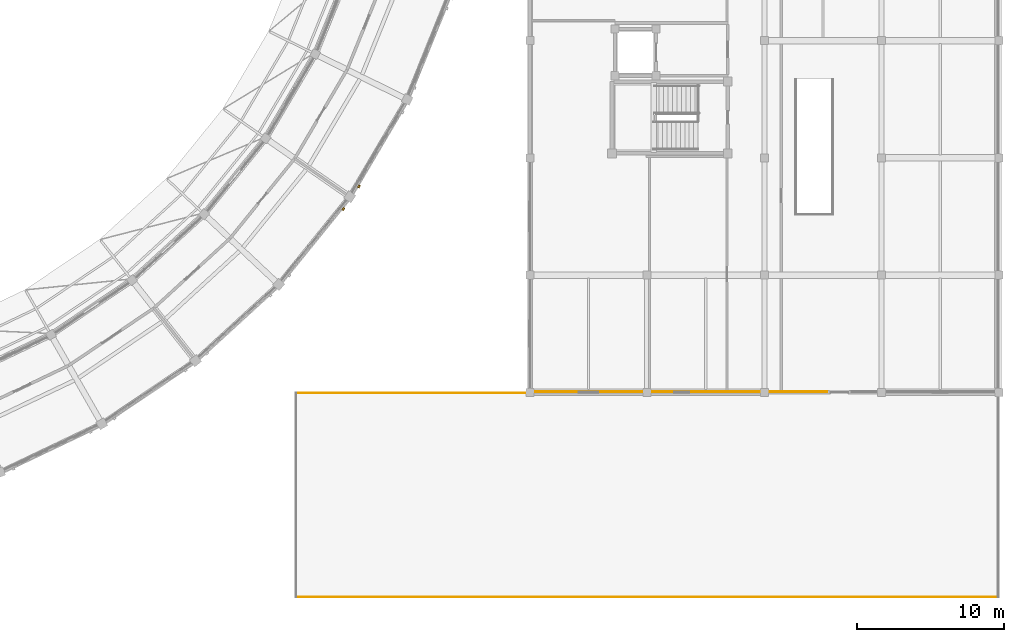
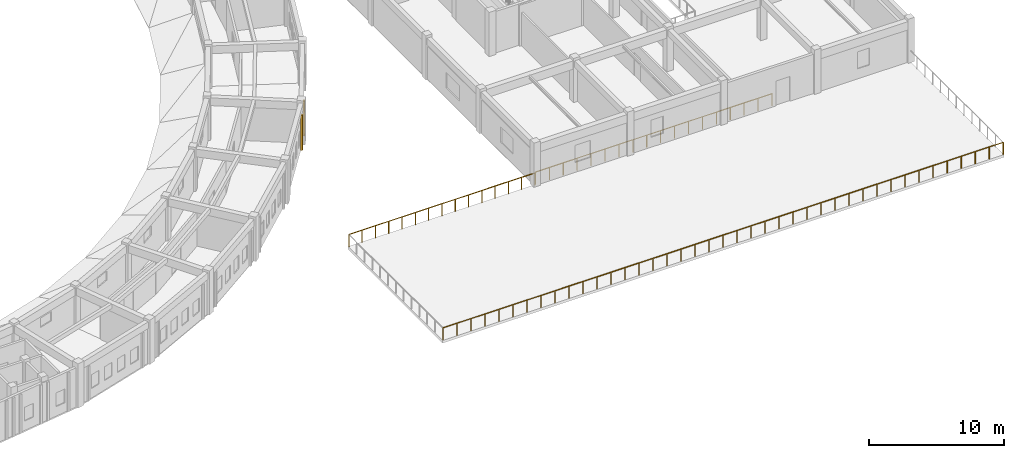
# One storey, part 107 of 112: 3 railings, 2 coverings.
"""IFC4 building model written with IfcOpenShell, lengths in metres."""

from ifc_helpers import new_model, si_unit, direction, frame, origin, origin_2d, place, context, subcontext, project, spatial, rectangle, circle, extrude, material, layer, layer_set, type_object, element, save


model = new_model("IFC4")

# Units and contexts
model_context = context("Model", 3, precision=1e-05, world=origin(), true_north=direction((0.0, 1.0)))
body_context = subcontext(model_context, "Body", "Model", "MODEL_VIEW")
ifc_project = project(units=[si_unit("LENGTHUNIT", "METRE"), si_unit("AREAUNIT", "SQUARE_METRE"), si_unit("VOLUMEUNIT", "CUBIC_METRE"), si_unit("PLANEANGLEUNIT", "RADIAN"), si_unit("MASSUNIT", "GRAM", prefix="KILO")], contexts=[model_context])

# Site, building, storey
site_placement = place(None, origin())
site = spatial("IfcSite", under=ifc_project, at=site_placement, CompositionType="ELEMENT")
building_placement = place(site_placement, origin())
building = spatial("IfcBuilding", under=site, at=building_placement, Name="Celadon Cloister-Ring School", CompositionType="ELEMENT")
storey_placement = place(building_placement, frame((0.0, 0.0, 8.5)))
storey = spatial("IfcBuildingStorey", under=building, at=storey_placement, Name="L02", CompositionType="ELEMENT", Elevation=8.5)

# Coverings
ifc_material_1 = material(Name="Perforated terracotta clay brick masonry", Category="masonry")
ifc_layer = layer(ifc_material_1, 0.139892578125)
ifc_layer_set = layer_set([ifc_layer], Name="Perforated terracotta clay brick masonry")
covering_type = type_object("IfcCoveringType", Name="CV-SC1", PredefinedType="CLADDING", material=ifc_layer_set)
for number, where, z_axis, x_axis, name in (
    (1, (129.26611328125, 28.510009765625, 0.0), (0.0, 0.0, 1.0), (-0.629605187645, -0.776915251292, 0.0), "Brick Screen Rib 0291"),
    (2, (130.3349609375, 30.050048828125, 0.0), (0.0, 0.0, 1.0), (-0.507944339768, -0.861389892962, 0.0), "Brick Screen Rib 0294"),
):
    element("IfcCovering", number, at=place(storey_placement, frame(where, z_axis=z_axis, x_axis=x_axis)), inside=storey, type_object=covering_type, Name=name, PredefinedType="CLADDING", context=body_context, shape_type="SweptSolid", body=[
        extrude(rectangle(XDim=0.179931640625, YDim=0.139892578125, at=origin_2d()), origin(), (0.0, 0.0, 1.0), 3.172119140625),
    ])

# Railings
ifc_material_2 = material(Name="Structural steel S355JR", Category="steel")
railing_type = type_object("IfcRailingType", Name="RL-BL1", PredefinedType="BALUSTRADE", material=ifc_material_2)
railing_1_placement = place(storey_placement, frame((141.9599609375, 15.9599609375, 0.0)))
element("IfcRailing", 3, at=railing_1_placement, inside=storey, type_object=railing_type, Name="Terrace Balustrade 0427", PredefinedType="BALUSTRADE", context=body_context, shape_type="SweptSolid", body=[
    extrude(circle(Radius=0.02392578125, at=origin_2d()), frame((0.0, 0.0, 1.09619140625), z_axis=(-1.0, 0.0, 0.0), x_axis=(0.0, -1.0, 0.0)), (0.0, 0.0, 1.0), 15.919921875),
    extrude(circle(Radius=0.02099609375, at=origin_2d()), origin(), (0.0, 0.0, 1.0), 1.072021484375),
    extrude(circle(Radius=0.02099609375, at=origin_2d()), frame((-1.13720703125, 0.0, 0.0)), (0.0, 0.0, 1.0), 1.072021484375),
    extrude(circle(Radius=0.02099609375, at=origin_2d()), frame((-2.274169921875, 0.0, 0.0)), (0.0, 0.0, 1.0), 1.072021484375),
    extrude(circle(Radius=0.02099609375, at=origin_2d()), frame((-3.411376953125, 0.0, 0.0)), (0.0, 0.0, 1.0), 1.072021484375),
    extrude(circle(Radius=0.02099609375, at=origin_2d()), frame((-4.548583984375, 0.0, 0.0)), (0.0, 0.0, 1.0), 1.072021484375),
    extrude(circle(Radius=0.02099609375, at=origin_2d()), frame((-5.685791015625, 0.0, 0.0)), (0.0, 0.0, 1.0), 1.072021484375),
    extrude(circle(Radius=0.02099609375, at=origin_2d()), frame((-6.82275390625, 0.0, 0.0)), (0.0, 0.0, 1.0), 1.072021484375),
    extrude(circle(Radius=0.02099609375, at=origin_2d()), frame((-7.9599609375, 0.0, 0.0)), (0.0, 0.0, 1.0), 1.072021484375),
    extrude(circle(Radius=0.02099609375, at=origin_2d()), frame((-9.09716796875, 0.0, 0.0)), (0.0, 0.0, 1.0), 1.072021484375),
    extrude(circle(Radius=0.02099609375, at=origin_2d()), frame((-10.234130859375, 0.0, 0.0)), (0.0, 0.0, 1.0), 1.072021484375),
    extrude(circle(Radius=0.02099609375, at=origin_2d()), frame((-11.371337890625, 0.0, 0.0)), (0.0, 0.0, 1.0), 1.072021484375),
    extrude(circle(Radius=0.02099609375, at=origin_2d()), frame((-12.508544921875, 0.0, 0.0)), (0.0, 0.0, 1.0), 1.072021484375),
    extrude(circle(Radius=0.02099609375, at=origin_2d()), frame((-13.645751953125, 0.0, 0.0)), (0.0, 0.0, 1.0), 1.072021484375),
    extrude(circle(Radius=0.02099609375, at=origin_2d()), frame((-14.78271484375, 0.0, 0.0)), (0.0, 0.0, 1.0), 1.072021484375),
    extrude(circle(Radius=0.02099609375, at=origin_2d()), frame((-15.919921875, 0.0, 0.0)), (0.0, 0.0, 1.0), 1.072021484375),
])
railing_2_placement = place(storey_placement, frame((126.0400390625, 2.0400390625, 0.0)))
element("IfcRailing", 4, at=railing_2_placement, inside=storey, type_object=railing_type, Name="Terrace Balustrade 0429", PredefinedType="BALUSTRADE", context=body_context, shape_type="SweptSolid", body=[
    extrude(circle(Radius=0.02392578125, at=origin_2d()), frame((0.0, 0.0, 1.09619140625), z_axis=(1.0, 0.0, 0.0), x_axis=(0.0, 1.0, 0.0)), (0.0, 0.0, 1.0), 47.919921875),
    extrude(circle(Radius=0.02099609375, at=origin_2d()), origin(), (0.0, 0.0, 1.0), 1.072021484375),
    extrude(circle(Radius=0.02099609375, at=origin_2d()), frame((1.197998046875, 0.0, 0.0)), (0.0, 0.0, 1.0), 1.072021484375),
    extrude(circle(Radius=0.02099609375, at=origin_2d()), frame((2.39599609375, 0.0, 0.0)), (0.0, 0.0, 1.0), 1.072021484375),
    extrude(circle(Radius=0.02099609375, at=origin_2d()), frame((3.593994140625, 0.0, 0.0)), (0.0, 0.0, 1.0), 1.072021484375),
    extrude(circle(Radius=0.02099609375, at=origin_2d()), frame((4.7919921875, 0.0, 0.0)), (0.0, 0.0, 1.0), 1.072021484375),
    extrude(circle(Radius=0.02099609375, at=origin_2d()), frame((5.989990234375, 0.0, 0.0)), (0.0, 0.0, 1.0), 1.072021484375),
    extrude(circle(Radius=0.02099609375, at=origin_2d()), frame((7.18798828125, 0.0, 0.0)), (0.0, 0.0, 1.0), 1.072021484375),
    extrude(circle(Radius=0.02099609375, at=origin_2d()), frame((8.385986328125, 0.0, 0.0)), (0.0, 0.0, 1.0), 1.072021484375),
    extrude(circle(Radius=0.02099609375, at=origin_2d()), frame((9.583984375, 0.0, 0.0)), (0.0, 0.0, 1.0), 1.072021484375),
    extrude(circle(Radius=0.02099609375, at=origin_2d()), frame((10.781982421875, 0.0, 0.0)), (0.0, 0.0, 1.0), 1.072021484375),
    extrude(circle(Radius=0.02099609375, at=origin_2d()), frame((11.97998046875, 0.0, 0.0)), (0.0, 0.0, 1.0), 1.072021484375),
    extrude(circle(Radius=0.02099609375, at=origin_2d()), frame((13.177978515625, 0.0, 0.0)), (0.0, 0.0, 1.0), 1.072021484375),
    extrude(circle(Radius=0.02099609375, at=origin_2d()), frame((14.3759765625, 0.0, 0.0)), (0.0, 0.0, 1.0), 1.072021484375),
    extrude(circle(Radius=0.02099609375, at=origin_2d()), frame((15.573974609375, 0.0, 0.0)), (0.0, 0.0, 1.0), 1.072021484375),
    extrude(circle(Radius=0.02099609375, at=origin_2d()), frame((16.77197265625, 0.0, 0.0)), (0.0, 0.0, 1.0), 1.072021484375),
    extrude(circle(Radius=0.02099609375, at=origin_2d()), frame((17.969970703125, 0.0, 0.0)), (0.0, 0.0, 1.0), 1.072021484375),
    extrude(circle(Radius=0.02099609375, at=origin_2d()), frame((19.16796875, 0.0, 0.0)), (0.0, 0.0, 1.0), 1.072021484375),
    extrude(circle(Radius=0.02099609375, at=origin_2d()), frame((20.365966796875, 0.0, 0.0)), (0.0, 0.0, 1.0), 1.072021484375),
    extrude(circle(Radius=0.02099609375, at=origin_2d()), frame((21.56396484375, 0.0, 0.0)), (0.0, 0.0, 1.0), 1.072021484375),
    extrude(circle(Radius=0.02099609375, at=origin_2d()), frame((22.761962890625, 0.0, 0.0)), (0.0, 0.0, 1.0), 1.072021484375),
    extrude(circle(Radius=0.02099609375, at=origin_2d()), frame((23.9599609375, 0.0, 0.0)), (0.0, 0.0, 1.0), 1.072021484375),
    extrude(circle(Radius=0.02099609375, at=origin_2d()), frame((25.157958984375, 0.0, 0.0)), (0.0, 0.0, 1.0), 1.072021484375),
    extrude(circle(Radius=0.02099609375, at=origin_2d()), frame((26.35595703125, 0.0, 0.0)), (0.0, 0.0, 1.0), 1.072021484375),
    extrude(circle(Radius=0.02099609375, at=origin_2d()), frame((27.553955078125, 0.0, 0.0)), (0.0, 0.0, 1.0), 1.072021484375),
    extrude(circle(Radius=0.02099609375, at=origin_2d()), frame((28.751953125, 0.0, 0.0)), (0.0, 0.0, 1.0), 1.072021484375),
    extrude(circle(Radius=0.02099609375, at=origin_2d()), frame((29.949951171875, 0.0, 0.0)), (0.0, 0.0, 1.0), 1.072021484375),
    extrude(circle(Radius=0.02099609375, at=origin_2d()), frame((31.14794921875, 0.0, 0.0)), (0.0, 0.0, 1.0), 1.072021484375),
    extrude(circle(Radius=0.02099609375, at=origin_2d()), frame((32.345947265625, 0.0, 0.0)), (0.0, 0.0, 1.0), 1.072021484375),
    extrude(circle(Radius=0.02099609375, at=origin_2d()), frame((33.5439453125, 0.0, 0.0)), (0.0, 0.0, 1.0), 1.072021484375),
    extrude(circle(Radius=0.02099609375, at=origin_2d()), frame((34.741943359375, 0.0, 0.0)), (0.0, 0.0, 1.0), 1.072021484375),
    extrude(circle(Radius=0.02099609375, at=origin_2d()), frame((35.93994140625, 0.0, 0.0)), (0.0, 0.0, 1.0), 1.072021484375),
    extrude(circle(Radius=0.02099609375, at=origin_2d()), frame((37.137939453125, 0.0, 0.0)), (0.0, 0.0, 1.0), 1.072021484375),
    extrude(circle(Radius=0.02099609375, at=origin_2d()), frame((38.3359375, 0.0, 0.0)), (0.0, 0.0, 1.0), 1.072021484375),
    extrude(circle(Radius=0.02099609375, at=origin_2d()), frame((39.533935546875, 0.0, 0.0)), (0.0, 0.0, 1.0), 1.072021484375),
    extrude(circle(Radius=0.02099609375, at=origin_2d()), frame((40.73193359375, 0.0, 0.0)), (0.0, 0.0, 1.0), 1.072021484375),
    extrude(circle(Radius=0.02099609375, at=origin_2d()), frame((41.929931640625, 0.0, 0.0)), (0.0, 0.0, 1.0), 1.072021484375),
    extrude(circle(Radius=0.02099609375, at=origin_2d()), frame((43.1279296875, 0.0, 0.0)), (0.0, 0.0, 1.0), 1.072021484375),
    extrude(circle(Radius=0.02099609375, at=origin_2d()), frame((44.325927734375, 0.0, 0.0)), (0.0, 0.0, 1.0), 1.072021484375),
    extrude(circle(Radius=0.02099609375, at=origin_2d()), frame((45.52392578125, 0.0, 0.0)), (0.0, 0.0, 1.0), 1.072021484375),
    extrude(circle(Radius=0.02099609375, at=origin_2d()), frame((46.721923828125, 0.0, 0.0)), (0.0, 0.0, 1.0), 1.072021484375),
    extrude(circle(Radius=0.02099609375, at=origin_2d()), frame((47.919921875, 0.0, 0.0)), (0.0, 0.0, 1.0), 1.072021484375),
])
railing_3_placement = place(storey_placement, frame((162.26904296875, 16.0400390625, 0.0)))
element("IfcRailing", 5, at=railing_3_placement, inside=storey, type_object=railing_type, Name="Terrace Balustrade 0435", PredefinedType="BALUSTRADE", context=body_context, shape_type="SweptSolid", body=[
    extrude(circle(Radius=0.02392578125, at=origin_2d()), frame((0.0, 0.0, 1.09619140625), z_axis=(-1.0, 0.0, 0.0), x_axis=(0.0, -1.0, 0.0)), (0.0, 0.0, 1.0), 20.22900390625),
    extrude(circle(Radius=0.02099609375, at=origin_2d()), origin(), (0.0, 0.0, 1.0), 1.072021484375),
    extrude(circle(Radius=0.02099609375, at=origin_2d()), frame((-1.18994140625, 0.0, 0.0)), (0.0, 0.0, 1.0), 1.072021484375),
    extrude(circle(Radius=0.02099609375, at=origin_2d()), frame((-2.3798828125, 0.0, 0.0)), (0.0, 0.0, 1.0), 1.072021484375),
    extrude(circle(Radius=0.02099609375, at=origin_2d()), frame((-3.56982421875, 0.0, 0.0)), (0.0, 0.0, 1.0), 1.072021484375),
    extrude(circle(Radius=0.02099609375, at=origin_2d()), frame((-4.759765625, 0.0, 0.0)), (0.0, 0.0, 1.0), 1.072021484375),
    extrude(circle(Radius=0.02099609375, at=origin_2d()), frame((-5.94970703125, 0.0, 0.0)), (0.0, 0.0, 1.0), 1.072021484375),
    extrude(circle(Radius=0.02099609375, at=origin_2d()), frame((-7.1396484375, 0.0, 0.0)), (0.0, 0.0, 1.0), 1.072021484375),
    extrude(circle(Radius=0.02099609375, at=origin_2d()), frame((-8.32958984375, 0.0, 0.0)), (0.0, 0.0, 1.0), 1.072021484375),
    extrude(circle(Radius=0.02099609375, at=origin_2d()), frame((-9.51953125, 0.0, 0.0)), (0.0, 0.0, 1.0), 1.072021484375),
    extrude(circle(Radius=0.02099609375, at=origin_2d()), frame((-10.70947265625, 0.0, 0.0)), (0.0, 0.0, 1.0), 1.072021484375),
    extrude(circle(Radius=0.02099609375, at=origin_2d()), frame((-11.8994140625, 0.0, 0.0)), (0.0, 0.0, 1.0), 1.072021484375),
    extrude(circle(Radius=0.02099609375, at=origin_2d()), frame((-13.08935546875, 0.0, 0.0)), (0.0, 0.0, 1.0), 1.072021484375),
    extrude(circle(Radius=0.02099609375, at=origin_2d()), frame((-14.279296875, 0.0, 0.0)), (0.0, 0.0, 1.0), 1.072021484375),
    extrude(circle(Radius=0.02099609375, at=origin_2d()), frame((-15.46923828125, 0.0, 0.0)), (0.0, 0.0, 1.0), 1.072021484375),
    extrude(circle(Radius=0.02099609375, at=origin_2d()), frame((-16.6591796875, 0.0, 0.0)), (0.0, 0.0, 1.0), 1.072021484375),
    extrude(circle(Radius=0.02099609375, at=origin_2d()), frame((-17.84912109375, 0.0, 0.0)), (0.0, 0.0, 1.0), 1.072021484375),
    extrude(circle(Radius=0.02099609375, at=origin_2d()), frame((-19.0390625, 0.0, 0.0)), (0.0, 0.0, 1.0), 1.072021484375),
    extrude(circle(Radius=0.02099609375, at=origin_2d()), frame((-20.22900390625, 0.0, 0.0)), (0.0, 0.0, 1.0), 1.072021484375),
])

save(model, "model.ifc")
